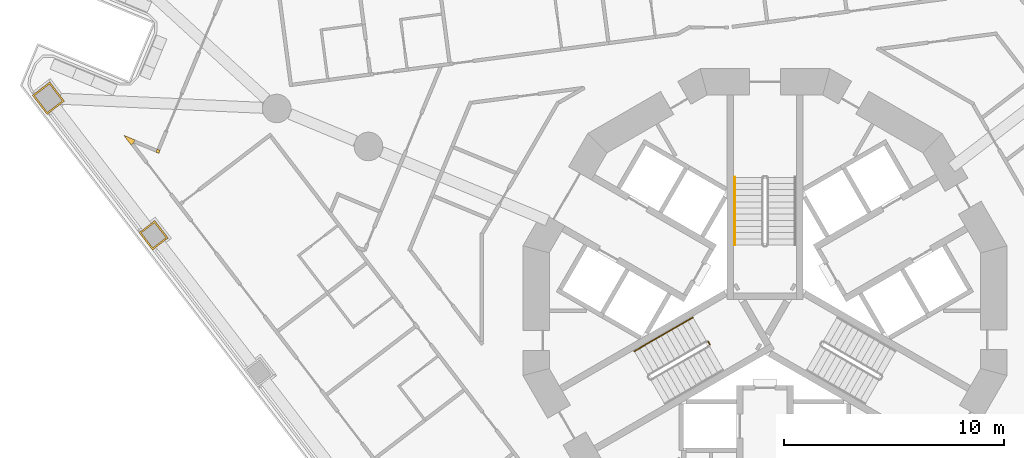
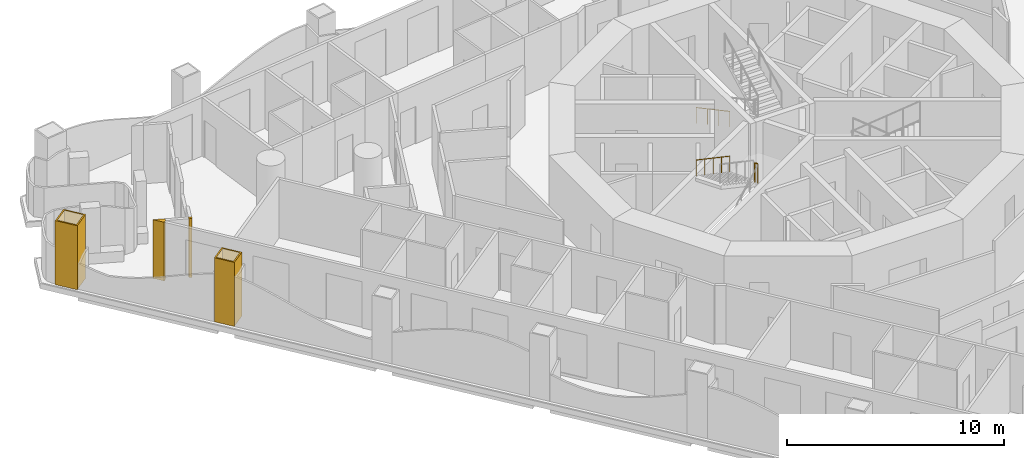
# One storey, part 15 of 19: 4 coverings, 4 railings.
"""IFC4 building model written with IfcOpenShell, lengths in metres."""

from ifc_helpers import new_model, si_unit, direction, frame, origin, origin_2d, place, context, subcontext, project, spatial, polyline, circle, outline, extrude, material, layer, layer_set, type_object, element, save


model = new_model("IFC4")

# Units and contexts
model_context = context("Model", 3, precision=1e-05, world=origin(), true_north=direction((0.0, 1.0)))
body_context = subcontext(model_context, "Body", "Model", "MODEL_VIEW")
ifc_project = project(units=[si_unit("LENGTHUNIT", "METRE"), si_unit("AREAUNIT", "SQUARE_METRE"), si_unit("VOLUMEUNIT", "CUBIC_METRE"), si_unit("PLANEANGLEUNIT", "RADIAN"), si_unit("MASSUNIT", "GRAM", prefix="KILO")], contexts=[model_context])

# Site, building, storey
site_placement = place(None, origin())
site = spatial("IfcSite", under=ifc_project, at=site_placement, CompositionType="ELEMENT")
building_placement = place(site_placement, origin())
building = spatial("IfcBuilding", under=site, at=building_placement, Name="Trine Commons Tower", CompositionType="ELEMENT")
storey_placement = place(building_placement, frame((0.0, 0.0, 64.800048828125)))
storey = spatial("IfcBuildingStorey", under=building, at=storey_placement, Name="L15", CompositionType="ELEMENT", Elevation=64.800048828125)

# Coverings
ifc_material_1 = material(Name="Aluminium-framed insulated wall panel", Category="aluminium")
ifc_layer_1 = layer(ifc_material_1, 0.14990234375)
ifc_layer_set_1 = layer_set([ifc_layer_1], Name="Aluminium-framed insulated wall panel")
covering_type_1 = type_object("IfcCoveringType", Name="Glazing corner post, aluminium", PredefinedType="CLADDING", material=ifc_layer_set_1)
covering_1_placement = place(storey_placement, origin())
element("IfcCovering", 1, at=covering_1_placement, inside=storey, type_object=covering_type_1, Name="Glazing corner post 2-01", PredefinedType="CLADDING", context=body_context, shape_type="SweptSolid", body=[
    extrude(outline(polyline([(51.165771484375, 70.038330078125), (51.28466796875, 70.129638671875), (51.342041015625, 70.268310546875), (50.824951171875, 70.482421875), (51.165771484375, 70.038330078125)])), origin(), (0.0, 0.0, 1.0), 3.300048828125),
])
covering_2_placement = place(storey_placement, origin())
element("IfcCovering", 2, at=covering_2_placement, inside=storey, type_object=covering_type_1, Name="Glazing corner post 2-02", PredefinedType="CLADDING", context=body_context, shape_type="SweptSolid", body=[
    extrude(outline(polyline([(52.28759765625, 69.714111328125), (52.42626953125, 69.65673828125), (52.483642578125, 69.79541015625), (52.34521484375, 69.852783203125), (52.28759765625, 69.714111328125)])), origin(), (0.0, 0.0, 1.0), 3.300048828125),
])
ifc_material_2 = material(Name="Limestone, honed", Category="masonry")
ifc_layer_2 = layer(ifc_material_2, 0.074951171875)
ifc_layer_set_2 = layer_set([ifc_layer_2], Name="Limestone, honed")
covering_type_2 = type_object("IfcCoveringType", Name="Limestone column cladding 75", PredefinedType="CLADDING", material=ifc_layer_set_2)
covering_3_placement = place(storey_placement, origin())
element("IfcCovering", 3, at=covering_3_placement, inside=storey, type_object=covering_type_2, Name="Limestone pier cladding 2-07", PredefinedType="CLADDING", context=body_context, shape_type="SweptSolid", body=[
    extrude(outline(polyline([(52.240966796875, 66.599853515625), (51.527099609375, 66.052001953125), (52.1357421875, 65.2587890625), (52.849853515625, 65.806640625), (52.240966796875, 66.599853515625)]), holes=[polyline([(52.227294921875, 66.494873046875), (51.632080078125, 66.0380859375), (52.149658203125, 65.36376953125), (52.74462890625, 65.8203125), (52.227294921875, 66.494873046875)])]), origin(), (0.0, 0.0, 1.0), 3.599853515625),
])
covering_4_placement = place(storey_placement, origin())
element("IfcCovering", 4, at=covering_4_placement, inside=storey, type_object=covering_type_2, Name="Limestone pier cladding 2-08", PredefinedType="CLADDING", context=body_context, shape_type="SweptSolid", body=[
    extrude(outline(polyline([(47.465087890625, 72.90625), (46.671630859375, 72.297607421875), (47.34130859375, 71.4248046875), (48.134765625, 72.033447265625), (47.465087890625, 72.90625)]), holes=[polyline([(47.451171875, 72.801025390625), (46.77685546875, 72.28369140625), (47.355224609375, 71.52978515625), (48.029541015625, 72.04736328125), (47.451171875, 72.801025390625)])]), origin(), (0.0, 0.0, 1.0), 3.599853515625),
])

# Railings
ifc_material_3 = material(Name="Stainless steel balustrade", Category="steel")
railing_type_1 = type_object("IfcRailingType", Name="Stair guard, steel balustrade 1100", PredefinedType="GUARDRAIL", material=ifc_material_3)
railing_1_placement = place(storey_placement, frame((77.490966796875, 60.96484375, 1.800048828125)))
element("IfcRailing", 5, at=railing_1_placement, inside=storey, type_object=railing_type_1, Name="L15 ST2A stair guard 2", PredefinedType="GUARDRAIL", context=body_context, shape_type="SweptSolid", body=[
    extrude(circle(Radius=0.02392578125, at=origin_2d()), frame((0.0, 0.0, 1.076171875), z_axis=(-0.501036270542, 0.865426285481, 0.0), x_axis=(-0.865426285481, -0.501036270542, 0.0)), (0.0, 0.0, 1.0), 0.150146484375),
    extrude(circle(Radius=0.02099609375, at=origin_2d()), origin(), (0.0, 0.0, 1.0), 1.052001953125),
    extrude(circle(Radius=0.02099609375, at=origin_2d()), frame((-0.0751953125, 0.1298828125, 0.0)), (0.0, 0.0, 1.0), 1.052001953125),
])
ifc_material_4 = material(Name="Stainless steel handrail", Category="steel")
railing_type_2 = type_object("IfcRailingType", Name="Stair handrail, steel 900", PredefinedType="HANDRAIL", material=ifc_material_4)
railing_2_placement = place(storey_placement, frame((78.625, 68.570556640625, 0.14990234375)))
element("IfcRailing", 6, at=railing_2_placement, inside=storey, type_object=railing_type_2, Name="L15 ST1A stair handrail 1", PredefinedType="HANDRAIL", context=body_context, shape_type="SweptSolid", body=[
    extrude(circle(Radius=0.02099609375, at=origin_2d()), frame((0.0, 0.0, 0.87890625), z_axis=(0.0, -0.881467505477, 0.472244678941), x_axis=(1.0, 0.0, 0.0)), (0.0, 0.0, 1.0), 3.494140625),
    extrude(circle(Radius=0.01513671875, at=origin_2d()), origin(), (0.0, 0.0, 1.0), 0.85791015625),
    extrude(circle(Radius=0.01513671875, at=origin_2d()), frame((0.0, -1.026611328125, 0.550048828125)), (0.0, 0.0, 1.0), 0.85791015625),
    extrude(circle(Radius=0.01513671875, at=origin_2d()), frame((0.0, -2.053466796875, 1.10009765625)), (0.0, 0.0, 1.0), 0.85791015625),
    extrude(circle(Radius=0.01513671875, at=origin_2d()), frame((0.0, -3.080078125, 1.650146484375)), (0.0, 0.0, 1.0), 0.85791015625),
])
for number, where, name in (
    (7, (76.72265625, 62.195556640625, 1.949951171875), "L15 ST2A stair handrail 3"),
    (8, (75.388916015625, 61.425537109375, 2.77490234375), "L15 ST2A stair handrail 4"),
):
    element("IfcRailing", number, at=place(storey_placement, frame(where)), inside=storey, type_object=railing_type_2, Name=name, PredefinedType="HANDRAIL", context=body_context, shape_type="SweptSolid", body=[
        extrude(circle(Radius=0.02099609375, at=origin_2d()), frame((0.0, 0.0, 0.87890625), z_axis=(-0.76340495495, -0.440743040072, 0.472184759798), x_axis=(0.499992328818, -0.866029832698, 0.0)), (0.0, 0.0, 1.0), 1.7470703125),
        extrude(circle(Radius=0.01513671875, at=origin_2d()), origin(), (0.0, 0.0, 1.0), 0.85791015625),
        extrude(circle(Radius=0.01513671875, at=origin_2d()), frame((-0.6669921875, -0.385009765625, 0.41259765625)), (0.0, 0.0, 1.0), 0.85791015625),
        extrude(circle(Radius=0.01513671875, at=origin_2d()), frame((-1.333740234375, -0.77001953125, 0.824951171875)), (0.0, 0.0, 1.0), 0.85791015625),
    ])

save(model, "model.ifc")
